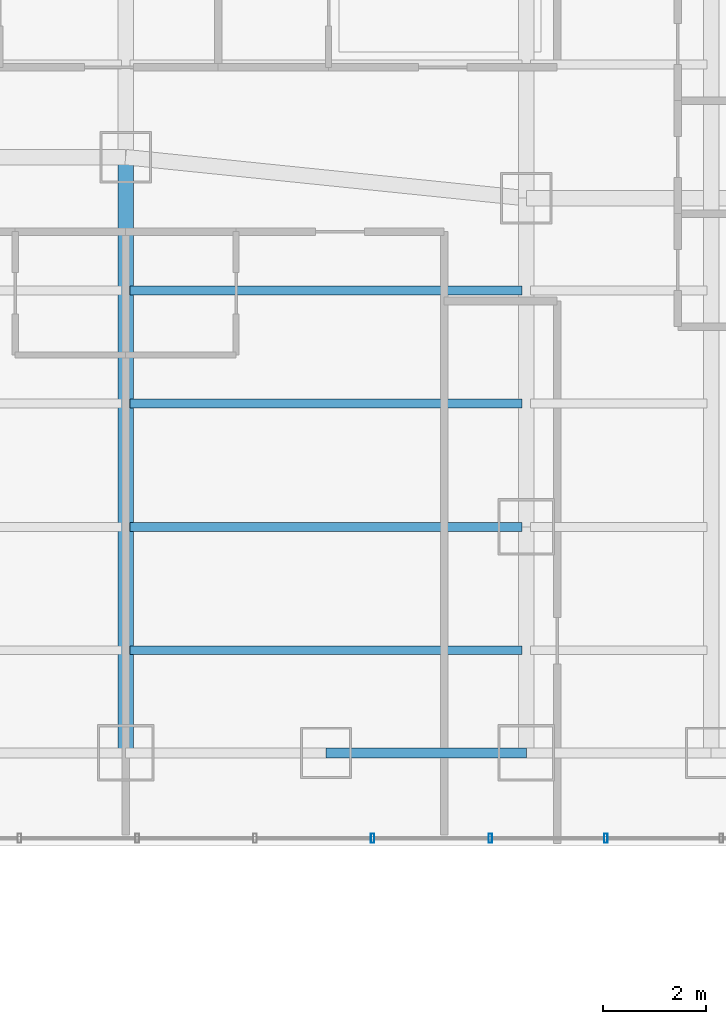
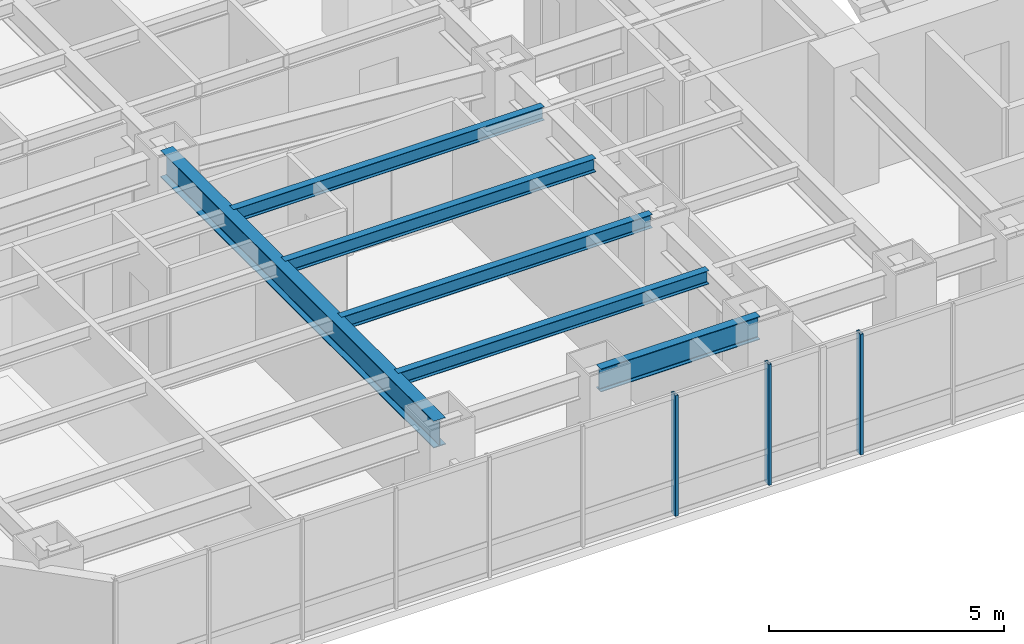
# One storey, part 6 of 38: 6 beams, 3 members, 2 elements without a shape of their own.
"""IFC4 building model written with IfcOpenShell, lengths in metres."""

import ifcopenshell
import ifcopenshell.guid

model = None  # the IFC model being written
_history = None  # IfcOwnerHistory: only IFC2X3 demands one
_inside = {}  # id of a spatial element -> (the spatial element, [elements in it])
_under = {}  # id of a project, library or spatial element -> (it, [spatial elements below it])
_declared = {}  # id of a project -> (the project, [libraries it declares])
_typed = {}  # id of a type object -> (the type object, [elements of that type])
_made_of = {}  # id of a material, layer set ... -> (it, [elements and type objects made of it])


def new_model(schema):
    """Start an empty IFC model of exactly this schema.

    Asked for "IFC4X3", IfcOpenShell would pick the latest addendum, in which some entities
    have other attributes; the version numbers below select the first issue.
    IFC2X3 requires an IfcOwnerHistory on every rooted entity: one is made here for all.
    """
    global model, _history
    if schema == "IFC4X3":
        model = ifcopenshell.file(schema_version=(4, 3, 0, 0))
    else:
        model = ifcopenshell.file(schema=schema)
    _inside.clear()
    _under.clear()
    _declared.clear()
    _typed.clear()
    _made_of.clear()
    _history = None
    if model.schema == "IFC2X3":
        org = make("IfcOrganization", Name="unknown")
        user = make(
            "IfcPersonAndOrganization",
            ThePerson=make("IfcPerson", FamilyName="unknown"),
            TheOrganization=org,
        )
        app = make(
            "IfcApplication",
            ApplicationDeveloper=org,
            Version="unknown",
            ApplicationFullName="unknown",
            ApplicationIdentifier="unknown",
        )
        _history = make(
            "IfcOwnerHistory",
            OwningUser=user,
            OwningApplication=app,
            ChangeAction="ADDED",
            CreationDate=0,
        )
    return model


def make(cls, **values):
    """One entity of the class cls with the attributes given. An attribute that is None is left unset."""
    return model.create_entity(
        cls, **{name: value for name, value in values.items() if value is not None}
    )


def rooted(cls, **values):
    """An entity with a GlobalId (a new one), such as an element, a storey or a relation."""
    return make(cls, GlobalId=ifcopenshell.guid.new(), OwnerHistory=_history, **values)


def si_unit(unit_type, name, prefix=None):
    """IfcSIUnit, for example si_unit("LENGTHUNIT", "METRE", prefix="MILLI")."""
    return make("IfcSIUnit", UnitType=unit_type, Prefix=prefix, Name=name)


def assignment(units):
    """IfcUnitAssignment: the units of a project."""
    return None if units is None else make("IfcUnitAssignment", Units=units)


def point(xyz):
    """IfcCartesianPoint."""
    return None if xyz is None else make("IfcCartesianPoint", Coordinates=xyz)


def direction(xyz):
    """IfcDirection."""
    return None if xyz is None else make("IfcDirection", DirectionRatios=xyz)


def frame(location, z_axis=None, x_axis=None):
    """IfcAxis2Placement3D, a coordinate frame: its origin and axes. An axis left out is left unset."""
    return make(
        "IfcAxis2Placement3D",
        Location=point(location),
        Axis=direction(z_axis),
        RefDirection=direction(x_axis),
    )


def frame_2d(location, x_axis=None):
    """IfcAxis2Placement2D, a coordinate frame in the plane: its origin and x axis."""
    return make(
        "IfcAxis2Placement2D", Location=point(location), RefDirection=direction(x_axis)
    )


def origin():
    """The frame at (0, 0, 0) with its axes left unset."""
    return frame((0.0, 0.0, 0.0))


def origin_2d():
    """The frame at (0, 0) in the plane with its x axis left unset."""
    return frame_2d((0.0, 0.0))


def place(relative_to, where):
    """IfcLocalPlacement: puts the frame where relative to a parent placement (None: the world)."""
    return make(
        "IfcLocalPlacement", PlacementRelTo=relative_to, RelativePlacement=where
    )


def context(
    kind, dimensions, precision=None, world=None, true_north=None, identifier=None
):
    """IfcGeometricRepresentationContext, for example the 3D "Model" context."""
    return make(
        "IfcGeometricRepresentationContext",
        ContextIdentifier=identifier,
        ContextType=kind,
        CoordinateSpaceDimension=dimensions,
        Precision=precision,
        WorldCoordinateSystem=world,
        TrueNorth=true_north,
    )


def subcontext(parent, identifier, kind, view, scale=None):
    """IfcGeometricRepresentationSubContext, for example "Body" below "Model"."""
    return make(
        "IfcGeometricRepresentationSubContext",
        ContextIdentifier=identifier,
        ContextType=kind,
        ParentContext=parent,
        TargetScale=scale,
        TargetView=view,
    )


def project(units=None, contexts=None):
    """IfcProject with its units and contexts."""
    return rooted(
        "IfcProject",
        Name="project",
        RepresentationContexts=contexts,
        UnitsInContext=assignment(units),
    )


def spatial(cls, under=None, at=None, **own):
    """A site, building, storey or space (cls), placed at a placement, below another one or the project."""
    s = rooted(cls, ObjectPlacement=at, **own)
    if under is not None:
        _under.setdefault(under.id(), (under, []))[1].append(s)
    return s


def profile(cls, at=None, kind="AREA", **sizes):
    """A parametric profile (cls). Its sizes go by their IFC names, for example OverallWidth=200.0."""
    return make(cls, ProfileType=kind, Position=at, **sizes)


def hollow_rectangle(**sizes):
    """IfcRectangleHollowProfileDef."""
    return profile("IfcRectangleHollowProfileDef", **sizes)


def i_section(**sizes):
    """IfcIShapeProfileDef."""
    return profile("IfcIShapeProfileDef", **sizes)


def extrude(swept, where, along, depth):
    """IfcExtrudedAreaSolid: the profile swept, set in the frame where, extruded along a direction by depth."""
    return make(
        "IfcExtrudedAreaSolid",
        SweptArea=swept,
        Position=where,
        ExtrudedDirection=direction(along),
        Depth=depth,
    )


def shape(context_of_items, identifier, shape_type, items):
    """IfcShapeRepresentation: the items that make up one representation, for example the "Body"."""
    return make(
        "IfcShapeRepresentation",
        ContextOfItems=context_of_items,
        RepresentationIdentifier=identifier,
        RepresentationType=shape_type,
        Items=items,
    )


def material(Name=None, Category=None):
    """IfcMaterial."""
    return make("IfcMaterial", Name=Name, Category=Category)


def layer(
    of_material, thickness, ventilated=None, Name=None, Category=None, Priority=None
):
    """IfcMaterialLayer: one layer of a wall or slab, of a material (None: an air gap)."""
    return make(
        "IfcMaterialLayer",
        Material=of_material,
        LayerThickness=thickness,
        IsVentilated=ventilated,
        Name=Name,
        Category=Category,
        Priority=Priority,
    )


def layer_set(layers, Name=None):
    """IfcMaterialLayerSet."""
    return make("IfcMaterialLayerSet", MaterialLayers=layers, LayerSetName=Name)


def material_profile(
    of_material, cross_section, Name=None, Category=None, Priority=None
):
    """IfcMaterialProfile: a cross section and its material."""
    return make(
        "IfcMaterialProfile",
        Name=Name,
        Material=of_material,
        Profile=cross_section,
        Priority=Priority,
        Category=Category,
    )


def profile_set(profiles, Name=None, composite=None):
    """IfcMaterialProfileSet."""
    return make(
        "IfcMaterialProfileSet",
        Name=Name,
        MaterialProfiles=profiles,
        CompositeProfile=composite,
    )


def made_of(thing, what):
    """Note that an element or type object is made of a material, layer set ...; save() writes the relation."""
    if what is not None:
        _made_of.setdefault(what.id(), (what, []))[1].append(thing)
    return thing


def type_object(cls, material=None, **own):
    """A type object (cls), such as IfcWallType, which elements share."""
    return made_of(rooted(cls, **own), material)


def element(
    cls,
    number,
    at=None,
    inside=None,
    cuts=None,
    type_object=None,
    material=None,
    context=None,
    identifier="Body",
    shape_type=None,
    held_by="IfcProductDefinitionShape",
    body=None,
    shapes=None,
    **own,
):
    """One element of the class cls, such as IfcWall. Its Tag is "e" and its number.

    at: its placement. inside: the storey or other place that contains it. cuts: it is an
    opening in that element (IfcRelVoidsElement). A single representation is given by context,
    identifier, shape_type and body (its items); several are given by shapes. held_by: the class
    of the entity that holds the representations. save() writes the other relations.
    """
    e = rooted(cls, Tag="e%d" % number, ObjectPlacement=at, **own)
    if body is not None:
        shapes = [shape(context, identifier, shape_type, body)]
    if shapes is not None:
        e.Representation = make(held_by, Representations=shapes)
    if inside is not None:
        _inside.setdefault(inside.id(), (inside, []))[1].append(e)
    if cuts is not None:
        rooted(
            "IfcRelVoidsElement", RelatingBuildingElement=cuts, RelatedOpeningElement=e
        )
    if type_object is not None:
        _typed.setdefault(type_object.id(), (type_object, []))[1].append(e)
    return made_of(e, material)


def aggregate(whole, parts):
    """IfcRelAggregates: a whole, such as a stair, and the parts it consists of."""
    return rooted("IfcRelAggregates", RelatingObject=whole, RelatedObjects=parts)


def save(model, path):
    """Write the relations noted so far, then the file.

    IfcRelAggregates (storeys below a building ...), IfcRelContainedInSpatialStructure (elements
    in a storey), IfcRelDefinesByType, IfcRelAssociatesMaterial and IfcRelDeclares: one each for
    every whole, place, type object, material and project.
    """
    for whole, parts in _under.values():
        aggregate(whole, parts)
    for where, things in _inside.values():
        rooted(
            "IfcRelContainedInSpatialStructure",
            RelatedElements=things,
            RelatingStructure=where,
        )
    for kind, things in _typed.values():
        rooted("IfcRelDefinesByType", RelatedObjects=things, RelatingType=kind)
    for what, things in _made_of.values():
        rooted("IfcRelAssociatesMaterial", RelatedObjects=things, RelatingMaterial=what)
    for by, libraries in _declared.values():
        rooted("IfcRelDeclares", RelatingContext=by, RelatedDefinitions=libraries)
    model.write(path)


model = new_model("IFC4")

# Units and contexts
model_context = context("Model", 3, precision=1e-05, world=origin(), true_north=direction((0.0, 1.0)))
body_context = subcontext(model_context, "Body", "Model", "MODEL_VIEW")
ifc_project = project(units=[si_unit("LENGTHUNIT", "METRE"), si_unit("AREAUNIT", "SQUARE_METRE"), si_unit("VOLUMEUNIT", "CUBIC_METRE"), si_unit("PLANEANGLEUNIT", "RADIAN"), si_unit("MASSUNIT", "GRAM", prefix="KILO")], contexts=[model_context])

# Site, building, storey
site_placement = place(None, origin())
site = spatial("IfcSite", under=ifc_project, at=site_placement, CompositionType="ELEMENT")
building_placement = place(site_placement, origin())
building = spatial("IfcBuilding", under=site, at=building_placement, Name="Hatsunagi Terrace Concourse", CompositionType="ELEMENT")
storey_placement = place(building_placement, frame((0.0, 0.0, 63.39990234375)))
storey = spatial("IfcBuildingStorey", under=building, at=storey_placement, Name="L16", CompositionType="ELEMENT", Elevation=63.39990234375)

# Curtain wall, members
ifc_material_1 = material(Name="Anodised Aluminium Alloy 6063-T5", Category="aluminium")
ifc_layer = layer(ifc_material_1, 0.199951171875)
ifc_layer_set = layer_set([ifc_layer], Name="HotelFacade_CW02")
curtain_wall_type = type_object("IfcCurtainWallType", Name="HotelFacade_CW02", PredefinedType="NOTDEFINED", material=ifc_layer_set)
curtain_wall_1_placement = place(storey_placement, origin())
curtain_wall_1 = element("IfcCurtainWall", 1, at=curtain_wall_1_placement, inside=storey, type_object=curtain_wall_type, Name="Unitised Curtain Wall CW-02 CW-L16-06", PredefinedType="NOTDEFINED")
ifc_material_2 = material(Name="Anodised Aluminium Alloy 6063-T5", Category="aluminium")
ifc_material_profile_1 = material_profile(ifc_material_2, hollow_rectangle(XDim=0.070068359375, YDim=0.179931640625, WallThickness=0.00390625, at=origin_2d()), Name="ALU-MUL-180x70x4")
ifc_profile_set_1 = profile_set([ifc_material_profile_1], Name="Anodised Aluminium Alloy 6063-T5")
member_type = type_object("IfcMemberType", Name="CurtainWallMullion_180x70", PredefinedType="MULLION", material=ifc_profile_set_1)
member_1_placement = place(storey_placement, frame((20.7490234375, 23.5400390625, 0.0), z_axis=(0.0, 0.0, 1.0), x_axis=(-1.0, 0.0, 0.0)))
member_1 = element("IfcMember", 2, at=member_1_placement, type_object=member_type, Name="Curtain Wall Mullion MUL-02", PredefinedType="MULLION", context=body_context, shape_type="SweptSolid", body=[
    extrude(hollow_rectangle(XDim=0.070068359375, YDim=0.179931640625, WallThickness=0.00390625, at=origin_2d()), origin(), (0.0, 0.0, 1.0), 3.130126953125),
])
member_2_placement = place(storey_placement, frame((18.5, 23.5400390625, 0.0), z_axis=(0.0, 0.0, 1.0), x_axis=(-1.0, 0.0, 0.0)))
member_2 = element("IfcMember", 3, at=member_2_placement, type_object=member_type, Name="Curtain Wall Mullion MUL-02", PredefinedType="MULLION", context=body_context, shape_type="SweptSolid", body=[
    extrude(hollow_rectangle(XDim=0.070068359375, YDim=0.179931640625, WallThickness=0.00390625, at=origin_2d()), origin(), (0.0, 0.0, 1.0), 3.130126953125),
])
aggregate(curtain_wall_1, [member_1, member_2])

# Curtain wall, member
curtain_wall_2_placement = place(storey_placement, origin())
curtain_wall_2 = element("IfcCurtainWall", 4, at=curtain_wall_2_placement, inside=storey, type_object=curtain_wall_type, Name="Unitised Curtain Wall CW-02 CW-L16-07", PredefinedType="NOTDEFINED")
member_3_placement = place(storey_placement, frame((16.2080078125, 23.5400390625, 0.0), z_axis=(0.0, 0.0, 1.0), x_axis=(-1.0, 0.0, 0.0)))
member_3 = element("IfcMember", 5, at=member_3_placement, type_object=member_type, Name="Curtain Wall Mullion MUL-02", PredefinedType="MULLION", context=body_context, shape_type="SweptSolid", body=[
    extrude(hollow_rectangle(XDim=0.070068359375, YDim=0.179931640625, WallThickness=0.00390625, at=origin_2d()), origin(), (0.0, 0.0, 1.0), 3.130126953125),
])
aggregate(curtain_wall_2, [member_3])

# Beams
ifc_material_3 = material(Name="Steel SN490B", Category="steel")
ifc_material_profile_2 = material_profile(ifc_material_3, i_section(OverallWidth=0.300048828125, OverallDepth=0.699951171875, WebThickness=0.012939453125, FlangeThickness=0.02392578125, FilletRadius=0.02197265625, at=origin_2d()), Name="H-700x300x13x24")
ifc_profile_set_2 = profile_set([ifc_material_profile_2], Name="Steel SN490B")
beam_type_1 = type_object("IfcBeamType", Name="HotelFloorGirder_H_700x300", PredefinedType="BEAM", material=ifc_profile_set_2)
beam_1_placement = place(storey_placement, frame((11.39990234375, 25.199951171875, 2.780029296875), z_axis=(0.0, 1.0, 0.0), x_axis=(-1.0, 0.0, 0.0)))
element("IfcBeam", 6, at=beam_1_placement, inside=storey, type_object=beam_type_1, Name="Beam G-04 BM-L16-NS-11-25", PredefinedType="BEAM", context=body_context, shape_type="SweptSolid", body=[
    extrude(i_section(OverallWidth=0.300048828125, OverallDepth=0.699951171875, WebThickness=0.012939453125, FlangeThickness=0.02392578125, FilletRadius=0.02197265625, at=origin_2d()), origin(), (0.0, 0.0, 1.0), 11.60009765625),
])
ifc_material_4 = material(Name="Steel SN490B", Category="steel")
ifc_material_profile_3 = material_profile(ifc_material_4, i_section(OverallWidth=0.175048828125, OverallDepth=0.35009765625, WebThickness=0.007080078125, FlangeThickness=0.010986328125, FilletRadius=0.012939453125, at=origin_2d()), Name="H-350x175x7x11")
ifc_profile_set_3 = profile_set([ifc_material_profile_3], Name="Steel SN490B")
beam_type_2 = type_object("IfcBeamType", Name="HotelJoist_H_350x175", PredefinedType="JOIST", material=ifc_profile_set_3)
for number, where, z_axis, x_axis, name in (
    (7, (11.485107421875, 27.199951171875, 2.955078125), (1.0, 0.0, 0.0), (0.0, 1.0, 0.0), "Beam J-02 J-L16-W-11-272"),
    (8, (11.485107421875, 29.60009765625, 2.955078125), (1.0, 0.0, 0.0), (0.0, 1.0, 0.0), "Beam J-02 J-L16-W-11-296"),
    (9, (11.485107421875, 32.0, 2.955078125), (1.0, 0.0, 0.0), (0.0, 1.0, 0.0), "Beam J-02 J-L16-W-11-320"),
    (10, (11.485107421875, 34.199951171875, 2.955078125), (1.0, 0.0, 0.0), (0.0, 1.0, 0.0), "Beam J-02 J-L16-W-11-342"),
):
    element("IfcBeam", number, at=place(storey_placement, frame(where, z_axis=z_axis, x_axis=x_axis)), inside=storey, type_object=beam_type_2, Name=name, PredefinedType="JOIST", context=body_context, shape_type="SweptSolid", body=[
        extrude(i_section(OverallWidth=0.175048828125, OverallDepth=0.35009765625, WebThickness=0.007080078125, FlangeThickness=0.010986328125, FilletRadius=0.012939453125, at=origin_2d()), origin(), (0.0, 0.0, 1.0), 7.6298828125),
    ])
ifc_material_5 = material(Name="Steel SN490B", Category="steel")
ifc_material_profile_4 = material_profile(ifc_material_5, i_section(OverallWidth=0.199951171875, OverallDepth=0.60009765625, WebThickness=0.010986328125, FlangeThickness=0.01708984375, FilletRadius=0.01806640625, at=origin_2d()), Name="H-600x200x11x17")
ifc_profile_set_4 = profile_set([ifc_material_profile_4], Name="Steel SN490B")
beam_type_3 = type_object("IfcBeamType", Name="PerimeterSpandrel_H_600x200", PredefinedType="SPANDREL", material=ifc_profile_set_4)
beam_2_placement = place(storey_placement, frame((15.300048828125, 25.199951171875, 2.830078125), z_axis=(1.0, 0.0, 0.0), x_axis=(0.0, 1.0, 0.0)))
element("IfcBeam", 11, at=beam_2_placement, inside=storey, type_object=beam_type_3, Name="Beam SP-01 BM-L16-WS-15", PredefinedType="SPANDREL", context=body_context, shape_type="SweptSolid", body=[
    extrude(i_section(OverallWidth=0.199951171875, OverallDepth=0.60009765625, WebThickness=0.010986328125, FlangeThickness=0.01708984375, FilletRadius=0.01806640625, at=origin_2d()), origin(), (0.0, 0.0, 1.0), 3.89990234375),
])

save(model, "model.ifc")
